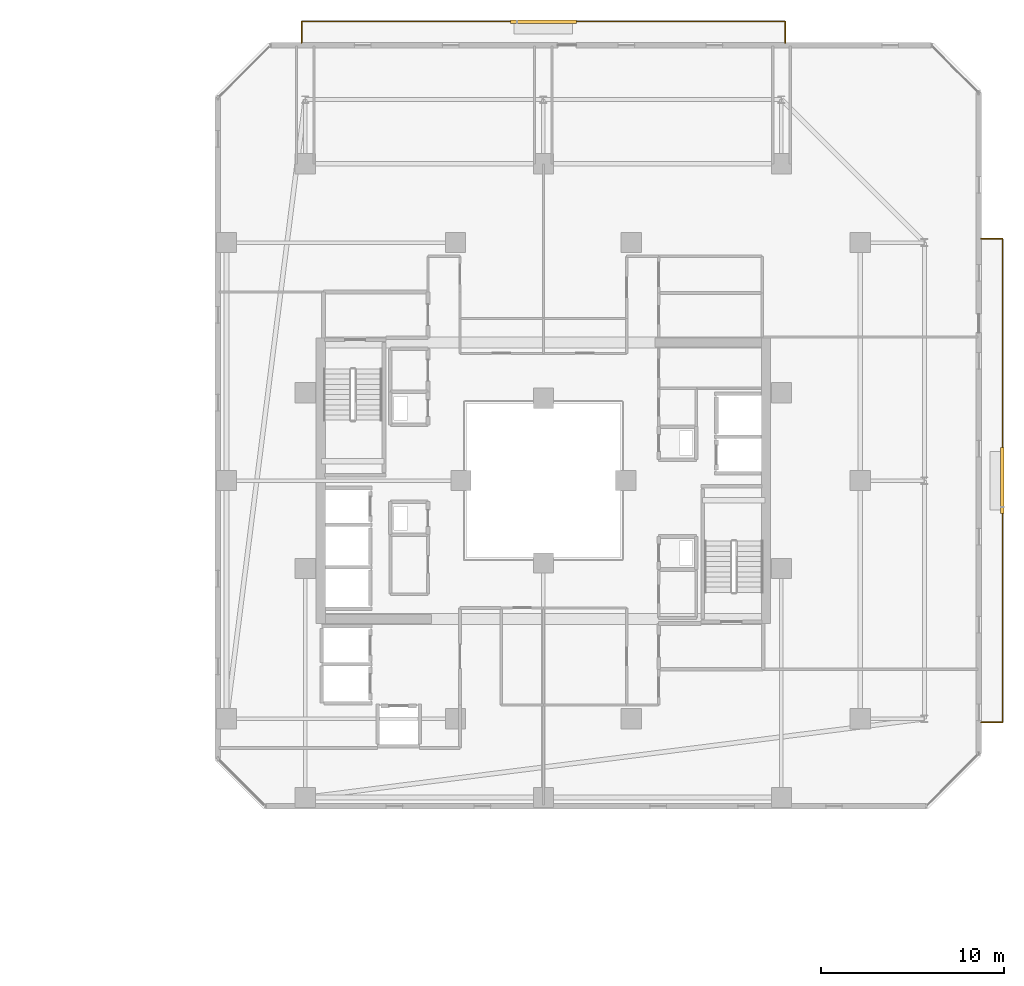
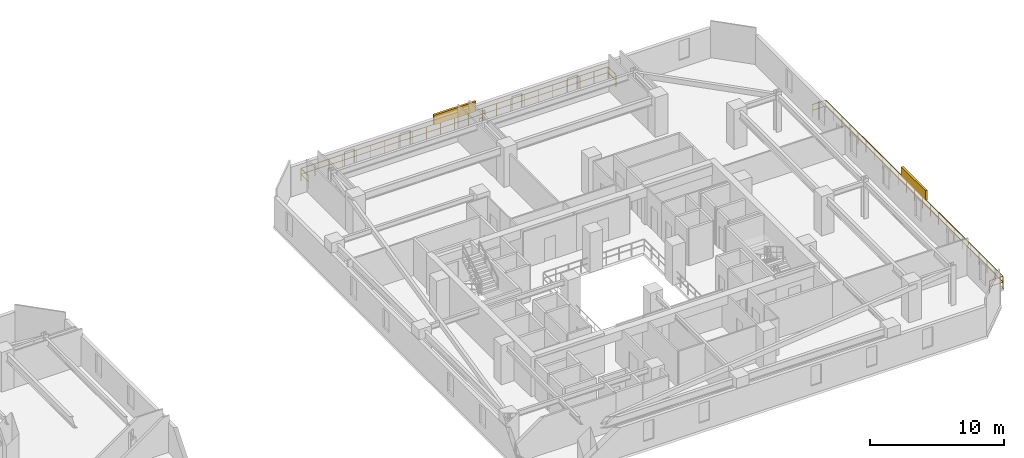
# One storey, part 33 of 33: 2 railings, 2 shading devices.
"""IFC4 building model written with IfcOpenShell, lengths in metres."""

from ifc_helpers import new_model, si_unit, direction, frame, origin, origin_2d, place, context, subcontext, project, spatial, rectangle, extrude, material, type_object, element, save


model = new_model("IFC4")

# Units and contexts
model_context = context("Model", 3, precision=1e-05, world=origin(), true_north=direction((0.0, 1.0)))
body_context = subcontext(model_context, "Body", "Model", "MODEL_VIEW")
ifc_project = project(units=[si_unit("LENGTHUNIT", "METRE"), si_unit("AREAUNIT", "SQUARE_METRE"), si_unit("VOLUMEUNIT", "CUBIC_METRE"), si_unit("PLANEANGLEUNIT", "RADIAN"), si_unit("MASSUNIT", "GRAM", prefix="KILO")], contexts=[model_context])

# Site, building, storey
site_placement = place(None, origin())
site = spatial("IfcSite", under=ifc_project, at=site_placement, CompositionType="ELEMENT")
building_placement = place(site_placement, origin())
building = spatial("IfcBuilding", under=site, at=building_placement, Name="Thornwick Lancets Civic Towers", CompositionType="ELEMENT")
storey_placement = place(building_placement, frame((0.0, 0.0, 167.10009765625)))
storey = spatial("IfcBuildingStorey", under=building, at=storey_placement, Name="L44", CompositionType="ELEMENT", Elevation=167.10009765625)

# Railings
ifc_material_1 = material(Name="Terracotta-capped laminated glass balustrade S355", Category="masonry")
railing_type = type_object("IfcRailingType", Name="RAIL_TERR_GUARD", PredefinedType="GUARDRAIL", material=ifc_material_1)
railing_1_placement = place(storey_placement, frame((112.39990234375, 13.800048828125, 0.0)))
element("IfcRailing", 1, at=railing_1_placement, inside=storey, type_object=railing_type, Name="L44 Tower B Balcony Guard E", PredefinedType="GUARDRAIL", context=body_context, shape_type="SweptSolid", body=[
    extrude(rectangle(XDim=0.048095703125, YDim=0.048095703125, at=origin_2d()), frame((0.0, 0.0, 1.1259765625), z_axis=(1.0, 0.0, 0.0), x_axis=(0.0, 1.0, 0.0)), (0.0, 0.0, 1.0), 1.138916015625),
    extrude(rectangle(XDim=0.0419921875, YDim=0.0419921875, at=origin_2d()), frame((0.03759765625, 0.0, 0.597900390625), z_axis=(1.0, 0.0, 0.0), x_axis=(0.0, 1.0, 0.0)), (0.0, 0.0, 1.0), 1.09521484375),
    extrude(rectangle(XDim=0.048095703125, YDim=0.048095703125, at=origin_2d()), frame((1.170166015625, 0.03125, 1.1259765625), z_axis=(0.0, 1.0, 0.0), x_axis=(-1.0, 0.0, 0.0)), (0.0, 0.0, 1.0), 26.33740234375),
    extrude(rectangle(XDim=0.0419921875, YDim=0.0419921875, at=origin_2d()), frame((1.170166015625, 0.03759765625, 0.597900390625), z_axis=(0.0, 1.0, 0.0), x_axis=(-1.0, 0.0, 0.0)), (0.0, 0.0, 1.0), 1.125),
    extrude(rectangle(XDim=0.0419921875, YDim=0.0419921875, at=origin_2d()), frame((1.170166015625, 1.237548828125, 0.597900390625), z_axis=(0.0, 1.0, 0.0), x_axis=(-1.0, 0.0, 0.0)), (0.0, 0.0, 1.0), 1.125),
    extrude(rectangle(XDim=0.0419921875, YDim=0.0419921875, at=origin_2d()), frame((1.170166015625, 2.4375, 0.597900390625), z_axis=(0.0, 1.0, 0.0), x_axis=(-1.0, 0.0, 0.0)), (0.0, 0.0, 1.0), 1.125),
    extrude(rectangle(XDim=0.0419921875, YDim=0.0419921875, at=origin_2d()), frame((1.170166015625, 3.637451171875, 0.597900390625), z_axis=(0.0, 1.0, 0.0), x_axis=(-1.0, 0.0, 0.0)), (0.0, 0.0, 1.0), 1.125),
    extrude(rectangle(XDim=0.0419921875, YDim=0.0419921875, at=origin_2d()), frame((1.170166015625, 4.83740234375, 0.597900390625), z_axis=(0.0, 1.0, 0.0), x_axis=(-1.0, 0.0, 0.0)), (0.0, 0.0, 1.0), 1.125),
    extrude(rectangle(XDim=0.0419921875, YDim=0.0419921875, at=origin_2d()), frame((1.170166015625, 6.037353515625, 0.597900390625), z_axis=(0.0, 1.0, 0.0), x_axis=(-1.0, 0.0, 0.0)), (0.0, 0.0, 1.0), 1.125),
    extrude(rectangle(XDim=0.0419921875, YDim=0.0419921875, at=origin_2d()), frame((1.170166015625, 7.237548828125, 0.597900390625), z_axis=(0.0, 1.0, 0.0), x_axis=(-1.0, 0.0, 0.0)), (0.0, 0.0, 1.0), 1.125),
    extrude(rectangle(XDim=0.0419921875, YDim=0.0419921875, at=origin_2d()), frame((1.170166015625, 8.4375, 0.597900390625), z_axis=(0.0, 1.0, 0.0), x_axis=(-1.0, 0.0, 0.0)), (0.0, 0.0, 1.0), 1.125),
    extrude(rectangle(XDim=0.0419921875, YDim=0.0419921875, at=origin_2d()), frame((1.170166015625, 9.637451171875, 0.597900390625), z_axis=(0.0, 1.0, 0.0), x_axis=(-1.0, 0.0, 0.0)), (0.0, 0.0, 1.0), 1.125),
    extrude(rectangle(XDim=0.0419921875, YDim=0.0419921875, at=origin_2d()), frame((1.170166015625, 10.83740234375, 0.597900390625), z_axis=(0.0, 1.0, 0.0), x_axis=(-1.0, 0.0, 0.0)), (0.0, 0.0, 1.0), 1.125),
    extrude(rectangle(XDim=0.0419921875, YDim=0.0419921875, at=origin_2d()), frame((1.170166015625, 12.037353515625, 0.597900390625), z_axis=(0.0, 1.0, 0.0), x_axis=(-1.0, 0.0, 0.0)), (0.0, 0.0, 1.0), 1.125),
    extrude(rectangle(XDim=0.0419921875, YDim=0.0419921875, at=origin_2d()), frame((1.170166015625, 13.237548828125, 0.597900390625), z_axis=(0.0, 1.0, 0.0), x_axis=(-1.0, 0.0, 0.0)), (0.0, 0.0, 1.0), 1.125),
    extrude(rectangle(XDim=0.0419921875, YDim=0.0419921875, at=origin_2d()), frame((1.170166015625, 14.4375, 0.597900390625), z_axis=(0.0, 1.0, 0.0), x_axis=(-1.0, 0.0, 0.0)), (0.0, 0.0, 1.0), 1.125),
    extrude(rectangle(XDim=0.0419921875, YDim=0.0419921875, at=origin_2d()), frame((1.170166015625, 15.637451171875, 0.597900390625), z_axis=(0.0, 1.0, 0.0), x_axis=(-1.0, 0.0, 0.0)), (0.0, 0.0, 1.0), 1.125),
    extrude(rectangle(XDim=0.0419921875, YDim=0.0419921875, at=origin_2d()), frame((1.170166015625, 16.83740234375, 0.597900390625), z_axis=(0.0, 1.0, 0.0), x_axis=(-1.0, 0.0, 0.0)), (0.0, 0.0, 1.0), 1.125),
    extrude(rectangle(XDim=0.0419921875, YDim=0.0419921875, at=origin_2d()), frame((1.170166015625, 18.037353515625, 0.597900390625), z_axis=(0.0, 1.0, 0.0), x_axis=(-1.0, 0.0, 0.0)), (0.0, 0.0, 1.0), 1.125),
    extrude(rectangle(XDim=0.0419921875, YDim=0.0419921875, at=origin_2d()), frame((1.170166015625, 19.2373046875, 0.597900390625), z_axis=(0.0, 1.0, 0.0), x_axis=(-1.0, 0.0, 0.0)), (0.0, 0.0, 1.0), 1.125),
    extrude(rectangle(XDim=0.0419921875, YDim=0.0419921875, at=origin_2d()), frame((1.170166015625, 20.4375, 0.597900390625), z_axis=(0.0, 1.0, 0.0), x_axis=(-1.0, 0.0, 0.0)), (0.0, 0.0, 1.0), 1.125),
    extrude(rectangle(XDim=0.0419921875, YDim=0.0419921875, at=origin_2d()), frame((1.170166015625, 21.637451171875, 0.597900390625), z_axis=(0.0, 1.0, 0.0), x_axis=(-1.0, 0.0, 0.0)), (0.0, 0.0, 1.0), 1.125),
    extrude(rectangle(XDim=0.0419921875, YDim=0.0419921875, at=origin_2d()), frame((1.170166015625, 22.83740234375, 0.597900390625), z_axis=(0.0, 1.0, 0.0), x_axis=(-1.0, 0.0, 0.0)), (0.0, 0.0, 1.0), 1.125),
    extrude(rectangle(XDim=0.0419921875, YDim=0.0419921875, at=origin_2d()), frame((1.170166015625, 24.037353515625, 0.597900390625), z_axis=(0.0, 1.0, 0.0), x_axis=(-1.0, 0.0, 0.0)), (0.0, 0.0, 1.0), 1.125),
    extrude(rectangle(XDim=0.0419921875, YDim=0.0419921875, at=origin_2d()), frame((1.170166015625, 25.2373046875, 0.597900390625), z_axis=(0.0, 1.0, 0.0), x_axis=(-1.0, 0.0, 0.0)), (0.0, 0.0, 1.0), 1.125),
    extrude(rectangle(XDim=0.048095703125, YDim=0.048095703125, at=origin_2d()), frame((1.138916015625, 26.39990234375, 1.1259765625), z_axis=(-1.0, 0.0, 0.0), x_axis=(0.0, -1.0, 0.0)), (0.0, 0.0, 1.0), 1.138916015625),
    extrude(rectangle(XDim=0.0419921875, YDim=0.0419921875, at=origin_2d()), frame((1.132568359375, 26.39990234375, 0.597900390625), z_axis=(-1.0, 0.0, 0.0), x_axis=(0.0, -1.0, 0.0)), (0.0, 0.0, 1.0), 1.09521484375),
    extrude(rectangle(XDim=0.0419921875, YDim=0.0419921875, at=origin_2d()), origin(), (0.0, 0.0, 1.0), 1.095703125),
    extrude(rectangle(XDim=0.0419921875, YDim=0.0419921875, at=origin_2d()), frame((1.170166015625, 0.0, 0.0)), (0.0, 0.0, 1.0), 1.095703125),
    extrude(rectangle(XDim=0.0419921875, YDim=0.0419921875, at=origin_2d()), frame((1.170166015625, 1.199951171875, 0.0)), (0.0, 0.0, 1.0), 1.095703125),
    extrude(rectangle(XDim=0.0419921875, YDim=0.0419921875, at=origin_2d()), frame((1.170166015625, 2.39990234375, 0.0)), (0.0, 0.0, 1.0), 1.095703125),
    extrude(rectangle(XDim=0.0419921875, YDim=0.0419921875, at=origin_2d()), frame((1.170166015625, 3.60009765625, 0.0)), (0.0, 0.0, 1.0), 1.095703125),
    extrude(rectangle(XDim=0.0419921875, YDim=0.0419921875, at=origin_2d()), frame((1.170166015625, 4.800048828125, 0.0)), (0.0, 0.0, 1.0), 1.095703125),
    extrude(rectangle(XDim=0.0419921875, YDim=0.0419921875, at=origin_2d()), frame((1.170166015625, 6.0, 0.0)), (0.0, 0.0, 1.0), 1.095703125),
    extrude(rectangle(XDim=0.0419921875, YDim=0.0419921875, at=origin_2d()), frame((1.170166015625, 7.199951171875, 0.0)), (0.0, 0.0, 1.0), 1.095703125),
    extrude(rectangle(XDim=0.0419921875, YDim=0.0419921875, at=origin_2d()), frame((1.170166015625, 8.39990234375, 0.0)), (0.0, 0.0, 1.0), 1.095703125),
    extrude(rectangle(XDim=0.0419921875, YDim=0.0419921875, at=origin_2d()), frame((1.170166015625, 9.599853515625, 0.0)), (0.0, 0.0, 1.0), 1.095703125),
    extrude(rectangle(XDim=0.0419921875, YDim=0.0419921875, at=origin_2d()), frame((1.170166015625, 10.800048828125, 0.0)), (0.0, 0.0, 1.0), 1.095703125),
    extrude(rectangle(XDim=0.0419921875, YDim=0.0419921875, at=origin_2d()), frame((1.170166015625, 12.0, 0.0)), (0.0, 0.0, 1.0), 1.095703125),
    extrude(rectangle(XDim=0.0419921875, YDim=0.0419921875, at=origin_2d()), frame((1.170166015625, 13.199951171875, 0.0)), (0.0, 0.0, 1.0), 1.095703125),
    extrude(rectangle(XDim=0.0419921875, YDim=0.0419921875, at=origin_2d()), frame((1.170166015625, 14.39990234375, 0.0)), (0.0, 0.0, 1.0), 1.095703125),
    extrude(rectangle(XDim=0.0419921875, YDim=0.0419921875, at=origin_2d()), frame((1.170166015625, 15.599853515625, 0.0)), (0.0, 0.0, 1.0), 1.095703125),
    extrude(rectangle(XDim=0.0419921875, YDim=0.0419921875, at=origin_2d()), frame((1.170166015625, 16.800048828125, 0.0)), (0.0, 0.0, 1.0), 1.095703125),
    extrude(rectangle(XDim=0.0419921875, YDim=0.0419921875, at=origin_2d()), frame((1.170166015625, 18.0, 0.0)), (0.0, 0.0, 1.0), 1.095703125),
    extrude(rectangle(XDim=0.0419921875, YDim=0.0419921875, at=origin_2d()), frame((1.170166015625, 19.199951171875, 0.0)), (0.0, 0.0, 1.0), 1.095703125),
    extrude(rectangle(XDim=0.0419921875, YDim=0.0419921875, at=origin_2d()), frame((1.170166015625, 20.39990234375, 0.0)), (0.0, 0.0, 1.0), 1.095703125),
    extrude(rectangle(XDim=0.0419921875, YDim=0.0419921875, at=origin_2d()), frame((1.170166015625, 21.599853515625, 0.0)), (0.0, 0.0, 1.0), 1.095703125),
    extrude(rectangle(XDim=0.0419921875, YDim=0.0419921875, at=origin_2d()), frame((1.170166015625, 22.7998046875, 0.0)), (0.0, 0.0, 1.0), 1.095703125),
    extrude(rectangle(XDim=0.0419921875, YDim=0.0419921875, at=origin_2d()), frame((1.170166015625, 24.0, 0.0)), (0.0, 0.0, 1.0), 1.095703125),
    extrude(rectangle(XDim=0.0419921875, YDim=0.0419921875, at=origin_2d()), frame((1.170166015625, 25.199951171875, 0.0)), (0.0, 0.0, 1.0), 1.095703125),
    extrude(rectangle(XDim=0.0419921875, YDim=0.0419921875, at=origin_2d()), frame((1.170166015625, 26.39990234375, 0.0)), (0.0, 0.0, 1.0), 1.095703125),
    extrude(rectangle(XDim=0.0419921875, YDim=0.0419921875, at=origin_2d()), frame((0.0, 26.39990234375, 0.0)), (0.0, 0.0, 1.0), 1.095703125),
])
railing_2_placement = place(storey_placement, frame((75.300048828125, 50.89990234375, 0.0)))
element("IfcRailing", 2, at=railing_2_placement, inside=storey, type_object=railing_type, Name="L44 Tower B Balcony Guard N", PredefinedType="GUARDRAIL", context=body_context, shape_type="SweptSolid", body=[
    extrude(rectangle(XDim=0.048095703125, YDim=0.048095703125, at=origin_2d()), frame((0.0, 0.0, 1.1259765625), z_axis=(0.0, 1.0, 0.0), x_axis=(-1.0, 0.0, 0.0)), (0.0, 0.0, 1.0), 1.138916015625),
    extrude(rectangle(XDim=0.0419921875, YDim=0.0419921875, at=origin_2d()), frame((0.0, 0.03759765625, 0.597900390625), z_axis=(0.0, 1.0, 0.0), x_axis=(-1.0, 0.0, 0.0)), (0.0, 0.0, 1.0), 1.09521484375),
    extrude(rectangle(XDim=0.048095703125, YDim=0.048095703125, at=origin_2d()), frame((0.03125, 1.170166015625, 1.1259765625), z_axis=(1.0, 0.0, 0.0), x_axis=(0.0, 1.0, 0.0)), (0.0, 0.0, 1.0), 26.33740234375),
    extrude(rectangle(XDim=0.0419921875, YDim=0.0419921875, at=origin_2d()), frame((0.03759765625, 1.170166015625, 0.597900390625), z_axis=(1.0, 0.0, 0.0), x_axis=(0.0, 1.0, 0.0)), (0.0, 0.0, 1.0), 1.125),
    extrude(rectangle(XDim=0.0419921875, YDim=0.0419921875, at=origin_2d()), frame((1.237548828125, 1.170166015625, 0.597900390625), z_axis=(1.0, 0.0, 0.0), x_axis=(0.0, 1.0, 0.0)), (0.0, 0.0, 1.0), 1.125),
    extrude(rectangle(XDim=0.0419921875, YDim=0.0419921875, at=origin_2d()), frame((2.4375, 1.170166015625, 0.597900390625), z_axis=(1.0, 0.0, 0.0), x_axis=(0.0, 1.0, 0.0)), (0.0, 0.0, 1.0), 1.125),
    extrude(rectangle(XDim=0.0419921875, YDim=0.0419921875, at=origin_2d()), frame((3.637451171875, 1.170166015625, 0.597900390625), z_axis=(1.0, 0.0, 0.0), x_axis=(0.0, 1.0, 0.0)), (0.0, 0.0, 1.0), 1.125),
    extrude(rectangle(XDim=0.0419921875, YDim=0.0419921875, at=origin_2d()), frame((4.83740234375, 1.170166015625, 0.597900390625), z_axis=(1.0, 0.0, 0.0), x_axis=(0.0, 1.0, 0.0)), (0.0, 0.0, 1.0), 1.125),
    extrude(rectangle(XDim=0.0419921875, YDim=0.0419921875, at=origin_2d()), frame((6.037353515625, 1.170166015625, 0.597900390625), z_axis=(1.0, 0.0, 0.0), x_axis=(0.0, 1.0, 0.0)), (0.0, 0.0, 1.0), 1.125),
    extrude(rectangle(XDim=0.0419921875, YDim=0.0419921875, at=origin_2d()), frame((7.237548828125, 1.170166015625, 0.597900390625), z_axis=(1.0, 0.0, 0.0), x_axis=(0.0, 1.0, 0.0)), (0.0, 0.0, 1.0), 1.125),
    extrude(rectangle(XDim=0.0419921875, YDim=0.0419921875, at=origin_2d()), frame((8.4375, 1.170166015625, 0.597900390625), z_axis=(1.0, 0.0, 0.0), x_axis=(0.0, 1.0, 0.0)), (0.0, 0.0, 1.0), 1.125),
    extrude(rectangle(XDim=0.0419921875, YDim=0.0419921875, at=origin_2d()), frame((9.637451171875, 1.170166015625, 0.597900390625), z_axis=(1.0, 0.0, 0.0), x_axis=(0.0, 1.0, 0.0)), (0.0, 0.0, 1.0), 1.125),
    extrude(rectangle(XDim=0.0419921875, YDim=0.0419921875, at=origin_2d()), frame((10.83740234375, 1.170166015625, 0.597900390625), z_axis=(1.0, 0.0, 0.0), x_axis=(0.0, 1.0, 0.0)), (0.0, 0.0, 1.0), 1.125),
    extrude(rectangle(XDim=0.0419921875, YDim=0.0419921875, at=origin_2d()), frame((12.037353515625, 1.170166015625, 0.597900390625), z_axis=(1.0, 0.0, 0.0), x_axis=(0.0, 1.0, 0.0)), (0.0, 0.0, 1.0), 1.125),
    extrude(rectangle(XDim=0.0419921875, YDim=0.0419921875, at=origin_2d()), frame((13.237548828125, 1.170166015625, 0.597900390625), z_axis=(1.0, 0.0, 0.0), x_axis=(0.0, 1.0, 0.0)), (0.0, 0.0, 1.0), 1.125),
    extrude(rectangle(XDim=0.0419921875, YDim=0.0419921875, at=origin_2d()), frame((14.4375, 1.170166015625, 0.597900390625), z_axis=(1.0, 0.0, 0.0), x_axis=(0.0, 1.0, 0.0)), (0.0, 0.0, 1.0), 1.125),
    extrude(rectangle(XDim=0.0419921875, YDim=0.0419921875, at=origin_2d()), frame((15.637451171875, 1.170166015625, 0.597900390625), z_axis=(1.0, 0.0, 0.0), x_axis=(0.0, 1.0, 0.0)), (0.0, 0.0, 1.0), 1.125),
    extrude(rectangle(XDim=0.0419921875, YDim=0.0419921875, at=origin_2d()), frame((16.83740234375, 1.170166015625, 0.597900390625), z_axis=(1.0, 0.0, 0.0), x_axis=(0.0, 1.0, 0.0)), (0.0, 0.0, 1.0), 1.125),
    extrude(rectangle(XDim=0.0419921875, YDim=0.0419921875, at=origin_2d()), frame((18.037353515625, 1.170166015625, 0.597900390625), z_axis=(1.0, 0.0, 0.0), x_axis=(0.0, 1.0, 0.0)), (0.0, 0.0, 1.0), 1.125),
    extrude(rectangle(XDim=0.0419921875, YDim=0.0419921875, at=origin_2d()), frame((19.2373046875, 1.170166015625, 0.597900390625), z_axis=(1.0, 0.0, 0.0), x_axis=(0.0, 1.0, 0.0)), (0.0, 0.0, 1.0), 1.125),
    extrude(rectangle(XDim=0.0419921875, YDim=0.0419921875, at=origin_2d()), frame((20.4375, 1.170166015625, 0.597900390625), z_axis=(1.0, 0.0, 0.0), x_axis=(0.0, 1.0, 0.0)), (0.0, 0.0, 1.0), 1.125),
    extrude(rectangle(XDim=0.0419921875, YDim=0.0419921875, at=origin_2d()), frame((21.637451171875, 1.170166015625, 0.597900390625), z_axis=(1.0, 0.0, 0.0), x_axis=(0.0, 1.0, 0.0)), (0.0, 0.0, 1.0), 1.125),
    extrude(rectangle(XDim=0.0419921875, YDim=0.0419921875, at=origin_2d()), frame((22.83740234375, 1.170166015625, 0.597900390625), z_axis=(1.0, 0.0, 0.0), x_axis=(0.0, 1.0, 0.0)), (0.0, 0.0, 1.0), 1.125),
    extrude(rectangle(XDim=0.0419921875, YDim=0.0419921875, at=origin_2d()), frame((24.037353515625, 1.170166015625, 0.597900390625), z_axis=(1.0, 0.0, 0.0), x_axis=(0.0, 1.0, 0.0)), (0.0, 0.0, 1.0), 1.125),
    extrude(rectangle(XDim=0.0419921875, YDim=0.0419921875, at=origin_2d()), frame((25.2373046875, 1.170166015625, 0.597900390625), z_axis=(1.0, 0.0, 0.0), x_axis=(0.0, 1.0, 0.0)), (0.0, 0.0, 1.0), 1.125),
    extrude(rectangle(XDim=0.048095703125, YDim=0.048095703125, at=origin_2d()), frame((26.39990234375, 1.138916015625, 1.1259765625), z_axis=(0.0, -1.0, 0.0), x_axis=(1.0, 0.0, 0.0)), (0.0, 0.0, 1.0), 1.138916015625),
    extrude(rectangle(XDim=0.0419921875, YDim=0.0419921875, at=origin_2d()), frame((26.39990234375, 1.132568359375, 0.597900390625), z_axis=(0.0, -1.0, 0.0), x_axis=(1.0, 0.0, 0.0)), (0.0, 0.0, 1.0), 1.09521484375),
    extrude(rectangle(XDim=0.0419921875, YDim=0.0419921875, at=origin_2d()), origin(), (0.0, 0.0, 1.0), 1.095703125),
    extrude(rectangle(XDim=0.0419921875, YDim=0.0419921875, at=origin_2d()), frame((0.0, 1.170166015625, 0.0)), (0.0, 0.0, 1.0), 1.095703125),
    extrude(rectangle(XDim=0.0419921875, YDim=0.0419921875, at=origin_2d()), frame((1.199951171875, 1.170166015625, 0.0)), (0.0, 0.0, 1.0), 1.095703125),
    extrude(rectangle(XDim=0.0419921875, YDim=0.0419921875, at=origin_2d()), frame((2.39990234375, 1.170166015625, 0.0)), (0.0, 0.0, 1.0), 1.095703125),
    extrude(rectangle(XDim=0.0419921875, YDim=0.0419921875, at=origin_2d()), frame((3.60009765625, 1.170166015625, 0.0)), (0.0, 0.0, 1.0), 1.095703125),
    extrude(rectangle(XDim=0.0419921875, YDim=0.0419921875, at=origin_2d()), frame((4.800048828125, 1.170166015625, 0.0)), (0.0, 0.0, 1.0), 1.095703125),
    extrude(rectangle(XDim=0.0419921875, YDim=0.0419921875, at=origin_2d()), frame((6.0, 1.170166015625, 0.0)), (0.0, 0.0, 1.0), 1.095703125),
    extrude(rectangle(XDim=0.0419921875, YDim=0.0419921875, at=origin_2d()), frame((7.199951171875, 1.170166015625, 0.0)), (0.0, 0.0, 1.0), 1.095703125),
    extrude(rectangle(XDim=0.0419921875, YDim=0.0419921875, at=origin_2d()), frame((8.39990234375, 1.170166015625, 0.0)), (0.0, 0.0, 1.0), 1.095703125),
    extrude(rectangle(XDim=0.0419921875, YDim=0.0419921875, at=origin_2d()), frame((9.599853515625, 1.170166015625, 0.0)), (0.0, 0.0, 1.0), 1.095703125),
    extrude(rectangle(XDim=0.0419921875, YDim=0.0419921875, at=origin_2d()), frame((10.800048828125, 1.170166015625, 0.0)), (0.0, 0.0, 1.0), 1.095703125),
    extrude(rectangle(XDim=0.0419921875, YDim=0.0419921875, at=origin_2d()), frame((12.0, 1.170166015625, 0.0)), (0.0, 0.0, 1.0), 1.095703125),
    extrude(rectangle(XDim=0.0419921875, YDim=0.0419921875, at=origin_2d()), frame((13.199951171875, 1.170166015625, 0.0)), (0.0, 0.0, 1.0), 1.095703125),
    extrude(rectangle(XDim=0.0419921875, YDim=0.0419921875, at=origin_2d()), frame((14.39990234375, 1.170166015625, 0.0)), (0.0, 0.0, 1.0), 1.095703125),
    extrude(rectangle(XDim=0.0419921875, YDim=0.0419921875, at=origin_2d()), frame((15.599853515625, 1.170166015625, 0.0)), (0.0, 0.0, 1.0), 1.095703125),
    extrude(rectangle(XDim=0.0419921875, YDim=0.0419921875, at=origin_2d()), frame((16.800048828125, 1.170166015625, 0.0)), (0.0, 0.0, 1.0), 1.095703125),
    extrude(rectangle(XDim=0.0419921875, YDim=0.0419921875, at=origin_2d()), frame((18.0, 1.170166015625, 0.0)), (0.0, 0.0, 1.0), 1.095703125),
    extrude(rectangle(XDim=0.0419921875, YDim=0.0419921875, at=origin_2d()), frame((19.199951171875, 1.170166015625, 0.0)), (0.0, 0.0, 1.0), 1.095703125),
    extrude(rectangle(XDim=0.0419921875, YDim=0.0419921875, at=origin_2d()), frame((20.39990234375, 1.170166015625, 0.0)), (0.0, 0.0, 1.0), 1.095703125),
    extrude(rectangle(XDim=0.0419921875, YDim=0.0419921875, at=origin_2d()), frame((21.599853515625, 1.170166015625, 0.0)), (0.0, 0.0, 1.0), 1.095703125),
    extrude(rectangle(XDim=0.0419921875, YDim=0.0419921875, at=origin_2d()), frame((22.7998046875, 1.170166015625, 0.0)), (0.0, 0.0, 1.0), 1.095703125),
    extrude(rectangle(XDim=0.0419921875, YDim=0.0419921875, at=origin_2d()), frame((24.0, 1.170166015625, 0.0)), (0.0, 0.0, 1.0), 1.095703125),
    extrude(rectangle(XDim=0.0419921875, YDim=0.0419921875, at=origin_2d()), frame((25.199951171875, 1.170166015625, 0.0)), (0.0, 0.0, 1.0), 1.095703125),
    extrude(rectangle(XDim=0.0419921875, YDim=0.0419921875, at=origin_2d()), frame((26.39990234375, 1.170166015625, 0.0)), (0.0, 0.0, 1.0), 1.095703125),
    extrude(rectangle(XDim=0.0419921875, YDim=0.0419921875, at=origin_2d()), frame((26.39990234375, 0.0, 0.0)), (0.0, 0.0, 1.0), 1.095703125),
])

# Shading devices
ifc_material_2 = material(Name="Extruded terracotta baguette solar screen", Category="masonry")
shading_device_type = type_object("IfcShadingDeviceType", Name="SHADE_BAGUETTE", PredefinedType="JALOUSIE", material=ifc_material_2)
for number, where, z_axis, x_axis, name in (
    (3, (113.56005859375, 27.0, 1.119873046875), (0.0, 0.0, 1.0), (0.0, 1.0, 0.0), "L44 Tower B Terracotta Baguette Screen E"),
    (4, (88.5, 52.06005859375, 1.119873046875), (0.0, 0.0, 1.0), (1.0, 0.0, 0.0), "L44 Tower B Terracotta Baguette Screen N"),
):
    element("IfcShadingDevice", number, at=place(storey_placement, frame(where, z_axis=z_axis, x_axis=x_axis)), inside=storey, type_object=shading_device_type, Name=name, PredefinedType="JALOUSIE", context=body_context, shape_type="SweptSolid", body=[
        extrude(rectangle(XDim=3.60009765625, YDim=0.179931640625, at=origin_2d()), origin(), (0.0, 0.0, 1.0), 0.89990234375),
    ])

save(model, "model.ifc")
